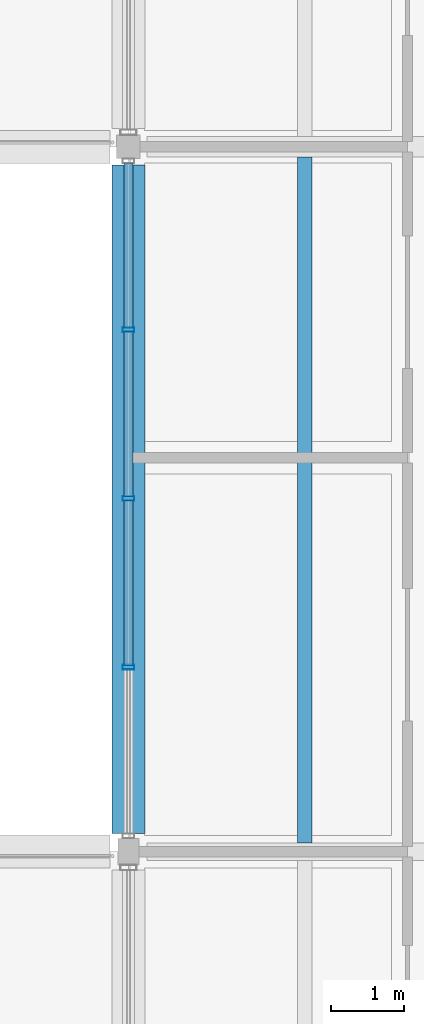
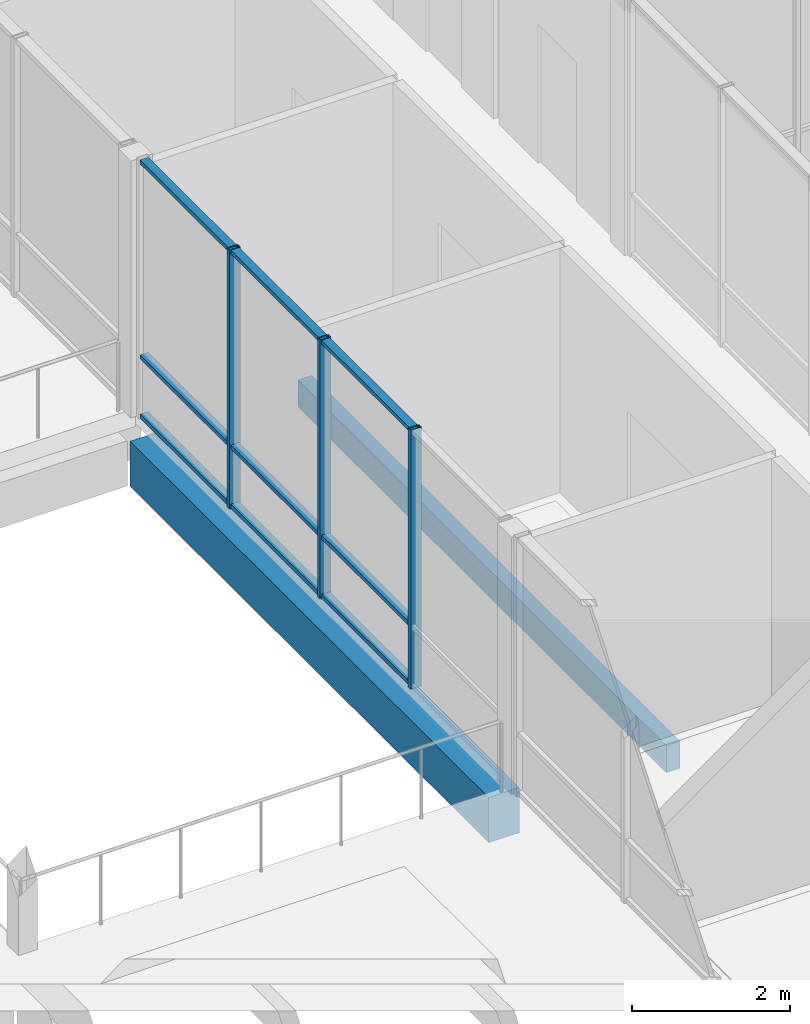
# One storey, part 52 of 115: 12 members, 2 beams, 1 element without a shape of its own.
"""IFC4 building model written with IfcOpenShell, lengths in metres."""

from ifc_helpers import new_model, si_unit, direction, frame, origin, origin_2d, place, context, subcontext, project, spatial, rectangle, hollow_rectangle, extrude, material, material_profile, profile_set, type_object, element, aggregate, save


model = new_model("IFC4")

# Units and contexts
model_context = context("Model", 3, precision=1e-05, world=origin(), true_north=direction((0.0, 1.0)))
body_context = subcontext(model_context, "Body", "Model", "MODEL_VIEW")
ifc_project = project(units=[si_unit("LENGTHUNIT", "METRE"), si_unit("AREAUNIT", "SQUARE_METRE"), si_unit("VOLUMEUNIT", "CUBIC_METRE"), si_unit("PLANEANGLEUNIT", "RADIAN"), si_unit("MASSUNIT", "GRAM", prefix="KILO")], contexts=[model_context])

# Site, building, storey
site_placement = place(None, origin())
site = spatial("IfcSite", under=ifc_project, at=site_placement, CompositionType="ELEMENT")
building_placement = place(site_placement, origin())
building = spatial("IfcBuilding", under=site, at=building_placement, Name="Hawrajan Terrace Health Centre", CompositionType="ELEMENT")
storey_placement = place(building_placement, frame((0.0, 0.0, 9.0)))
storey = spatial("IfcBuildingStorey", under=building, at=storey_placement, Name="L02", CompositionType="ELEMENT", Elevation=9.0)

# Curtain wall, members
ifc_material_1 = material(Name="Anodized bronze aluminium and low-E solar glazing", Category="aluminium")
curtain_wall_type = type_object("IfcCurtainWallType", Name="CW_Court_SeriesA3", PredefinedType="USERDEFINED", material=ifc_material_1)
curtain_wall_placement = place(storey_placement, origin())
curtain_wall = element("IfcCurtainWall", 1, at=curtain_wall_placement, inside=storey, type_object=curtain_wall_type, Name="Curtain wall CW-L02-147", ObjectType="UNITISED CURTAIN WALL", PredefinedType="USERDEFINED")
ifc_material_2 = material(Name="Anodized bronze aluminium 6063-T6", Category="aluminium")
ifc_material_profile_1 = material_profile(ifc_material_2, hollow_rectangle(XDim=0.06494140625, YDim=0.159912109375, WallThickness=0.00390625, at=origin_2d()), Name="CW MUL 65x160")
ifc_profile_set_1 = profile_set([ifc_material_profile_1], Name="Anodized bronze aluminium 6063-T6")
member_type_1 = type_object("IfcMemberType", Name="CWMullion_65x160", PredefinedType="MULLION", material=ifc_profile_set_1)
member_1_placement = place(storey_placement, frame((143.800048828125, 29.711181640625, -0.0048828125), z_axis=(0.0, 0.0, 1.0), x_axis=(0.0, 1.0, 0.0)))
member_1 = element("IfcMember", 2, at=member_1_placement, type_object=member_type_1, Name="Mullion CW-L02-147-M2", PredefinedType="MULLION", context=body_context, shape_type="SweptSolid", body=[
    extrude(hollow_rectangle(XDim=0.06494140625, YDim=0.159912109375, WallThickness=0.00390625, at=origin_2d()), origin(), (0.0, 0.0, 1.0), 4.009765625),
])
member_2_placement = place(storey_placement, frame((143.800048828125, 32.010009765625, -0.0048828125), z_axis=(0.0, 0.0, 1.0), x_axis=(0.0, 1.0, 0.0)))
member_2 = element("IfcMember", 3, at=member_2_placement, type_object=member_type_1, Name="Mullion CW-L02-147-M3", PredefinedType="MULLION", context=body_context, shape_type="SweptSolid", body=[
    extrude(hollow_rectangle(XDim=0.06494140625, YDim=0.159912109375, WallThickness=0.00390625, at=origin_2d()), origin(), (0.0, 0.0, 1.0), 4.009765625),
])
member_3_placement = place(storey_placement, frame((143.800048828125, 34.308837890625, -0.0048828125), z_axis=(0.0, 0.0, 1.0), x_axis=(0.0, 1.0, 0.0)))
member_3 = element("IfcMember", 4, at=member_3_placement, type_object=member_type_1, Name="Mullion CW-L02-147-M4", PredefinedType="MULLION", context=body_context, shape_type="SweptSolid", body=[
    extrude(hollow_rectangle(XDim=0.06494140625, YDim=0.159912109375, WallThickness=0.00390625, at=origin_2d()), origin(), (0.0, 0.0, 1.0), 4.009765625),
])
ifc_material_profile_2 = material_profile(ifc_material_2, hollow_rectangle(XDim=0.06494140625, YDim=0.1201171875, WallThickness=0.00341796875, at=origin_2d()), Name="CW TRN 65x120")
ifc_profile_set_2 = profile_set([ifc_material_profile_2], Name="Anodized bronze aluminium 6063-T6")
member_type_2 = type_object("IfcMemberType", Name="CWTransom_65x120", PredefinedType="USERDEFINED", material=ifc_profile_set_2)
member_4_placement = place(storey_placement, frame((143.800048828125, 29.73779296875, 0.032470703125), z_axis=(0.0, 1.0, 0.0), x_axis=(0.0, 0.0, 1.0)))
member_4 = element("IfcMember", 5, at=member_4_placement, type_object=member_type_2, Name="Transom CW-L02-147-T2-1", ObjectType="TRANSOM", PredefinedType="USERDEFINED", context=body_context, shape_type="SweptSolid", body=[
    extrude(hollow_rectangle(XDim=0.06494140625, YDim=0.1201171875, WallThickness=0.00341796875, at=origin_2d()), origin(), (0.0, 0.0, 1.0), 2.24560546875),
])
member_5_placement = place(storey_placement, frame((143.800048828125, 29.73779296875, 0.949951171875), z_axis=(0.0, 1.0, 0.0), x_axis=(0.0, 0.0, 1.0)))
member_5 = element("IfcMember", 6, at=member_5_placement, type_object=member_type_2, Name="Transom CW-L02-147-T2-2", ObjectType="TRANSOM", PredefinedType="USERDEFINED", context=body_context, shape_type="SweptSolid", body=[
    extrude(hollow_rectangle(XDim=0.06494140625, YDim=0.1201171875, WallThickness=0.00341796875, at=origin_2d()), origin(), (0.0, 0.0, 1.0), 2.24560546875),
])
member_6_placement = place(storey_placement, frame((143.800048828125, 29.73779296875, 3.967529296875), z_axis=(0.0, 1.0, 0.0), x_axis=(0.0, 0.0, 1.0)))
member_6 = element("IfcMember", 7, at=member_6_placement, type_object=member_type_2, Name="Transom CW-L02-147-T2-3", ObjectType="TRANSOM", PredefinedType="USERDEFINED", context=body_context, shape_type="SweptSolid", body=[
    extrude(hollow_rectangle(XDim=0.06494140625, YDim=0.1201171875, WallThickness=0.00341796875, at=origin_2d()), origin(), (0.0, 0.0, 1.0), 2.24560546875),
])
member_7_placement = place(storey_placement, frame((143.800048828125, 32.03662109375, 0.032470703125), z_axis=(0.0, 1.0, 0.0), x_axis=(0.0, 0.0, 1.0)))
member_7 = element("IfcMember", 8, at=member_7_placement, type_object=member_type_2, Name="Transom CW-L02-147-T3-1", ObjectType="TRANSOM", PredefinedType="USERDEFINED", context=body_context, shape_type="SweptSolid", body=[
    extrude(hollow_rectangle(XDim=0.06494140625, YDim=0.1201171875, WallThickness=0.00341796875, at=origin_2d()), origin(), (0.0, 0.0, 1.0), 2.24560546875),
])
member_8_placement = place(storey_placement, frame((143.800048828125, 32.03662109375, 0.949951171875), z_axis=(0.0, 1.0, 0.0), x_axis=(0.0, 0.0, 1.0)))
member_8 = element("IfcMember", 9, at=member_8_placement, type_object=member_type_2, Name="Transom CW-L02-147-T3-2", ObjectType="TRANSOM", PredefinedType="USERDEFINED", context=body_context, shape_type="SweptSolid", body=[
    extrude(hollow_rectangle(XDim=0.06494140625, YDim=0.1201171875, WallThickness=0.00341796875, at=origin_2d()), origin(), (0.0, 0.0, 1.0), 2.24560546875),
])
member_9_placement = place(storey_placement, frame((143.800048828125, 32.03662109375, 3.967529296875), z_axis=(0.0, 1.0, 0.0), x_axis=(0.0, 0.0, 1.0)))
member_9 = element("IfcMember", 10, at=member_9_placement, type_object=member_type_2, Name="Transom CW-L02-147-T3-3", ObjectType="TRANSOM", PredefinedType="USERDEFINED", context=body_context, shape_type="SweptSolid", body=[
    extrude(hollow_rectangle(XDim=0.06494140625, YDim=0.1201171875, WallThickness=0.00341796875, at=origin_2d()), origin(), (0.0, 0.0, 1.0), 2.24560546875),
])
member_10_placement = place(storey_placement, frame((143.800048828125, 34.335205078125, 0.032470703125), z_axis=(0.0, 1.0, 0.0), x_axis=(0.0, 0.0, 1.0)))
member_10 = element("IfcMember", 11, at=member_10_placement, type_object=member_type_2, Name="Transom CW-L02-147-T4-1", ObjectType="TRANSOM", PredefinedType="USERDEFINED", context=body_context, shape_type="SweptSolid", body=[
    extrude(hollow_rectangle(XDim=0.06494140625, YDim=0.1201171875, WallThickness=0.00341796875, at=origin_2d()), origin(), (0.0, 0.0, 1.0), 2.245849609375),
])
member_11_placement = place(storey_placement, frame((143.800048828125, 34.335205078125, 0.949951171875), z_axis=(0.0, 1.0, 0.0), x_axis=(0.0, 0.0, 1.0)))
member_11 = element("IfcMember", 12, at=member_11_placement, type_object=member_type_2, Name="Transom CW-L02-147-T4-2", ObjectType="TRANSOM", PredefinedType="USERDEFINED", context=body_context, shape_type="SweptSolid", body=[
    extrude(hollow_rectangle(XDim=0.06494140625, YDim=0.1201171875, WallThickness=0.00341796875, at=origin_2d()), origin(), (0.0, 0.0, 1.0), 2.245849609375),
])
member_12_placement = place(storey_placement, frame((143.800048828125, 34.335205078125, 3.967529296875), z_axis=(0.0, 1.0, 0.0), x_axis=(0.0, 0.0, 1.0)))
member_12 = element("IfcMember", 13, at=member_12_placement, type_object=member_type_2, Name="Transom CW-L02-147-T4-3", ObjectType="TRANSOM", PredefinedType="USERDEFINED", context=body_context, shape_type="SweptSolid", body=[
    extrude(hollow_rectangle(XDim=0.06494140625, YDim=0.1201171875, WallThickness=0.00341796875, at=origin_2d()), origin(), (0.0, 0.0, 1.0), 2.245849609375),
])
aggregate(curtain_wall, [member_1, member_2, member_3, member_4, member_5, member_6, member_7, member_8, member_9, member_10, member_11, member_12])

# Beams
ifc_material_3 = material(Name="Glulam GL28h", Category="wood")
ifc_material_profile_3 = material_profile(ifc_material_3, rectangle(XDim=0.199951171875, YDim=0.419921875, at=origin_2d()), Name="GL JST 200x420")
ifc_profile_set_3 = profile_set([ifc_material_profile_3], Name="Glulam GL28h")
beam_type_1 = type_object("IfcBeamType", Name="GlulamJoist_200x420", PredefinedType="JOIST", material=ifc_profile_set_3)
beam_1_placement = place(storey_placement, frame((146.199951171875, 27.320068359375, -0.489990234375), z_axis=(0.0, 1.0, 0.0), x_axis=(-1.0, 0.0, 0.0)))
element("IfcBeam", 14, at=beam_1_placement, inside=storey, type_object=beam_type_1, Name="Secondary joist JST-L02-E-19-4-1", PredefinedType="JOIST", context=body_context, shape_type="SweptSolid", body=[
    extrude(rectangle(XDim=0.199951171875, YDim=0.419921875, at=origin_2d()), origin(), (0.0, 0.0, 1.0), 9.33984375),
])
ifc_material_4 = material(Name="Concrete C40/50", Category="concrete")
ifc_material_profile_4 = material_profile(ifc_material_4, rectangle(XDim=0.449951171875, YDim=0.699951171875, at=origin_2d()), Name="RC BM 450x700")
ifc_profile_set_4 = profile_set([ifc_material_profile_4], Name="Concrete C40/50")
beam_type_2 = type_object("IfcBeamType", Name="RCGirder_450x700", PredefinedType="BEAM", material=ifc_profile_set_4)
beam_2_placement = place(storey_placement, frame((143.800048828125, 27.449951171875, -0.6298828125), z_axis=(0.0, 1.0, 0.0), x_axis=(-1.0, 0.0, 0.0)))
element("IfcBeam", 15, at=beam_2_placement, inside=storey, type_object=beam_type_2, Name="Beam BM-Y-L02-E-X19-4", PredefinedType="BEAM", context=body_context, shape_type="SweptSolid", body=[
    extrude(rectangle(XDim=0.449951171875, YDim=0.699951171875, at=origin_2d()), origin(), (0.0, 0.0, 1.0), 9.10009765625),
])

save(model, "model.ifc")
